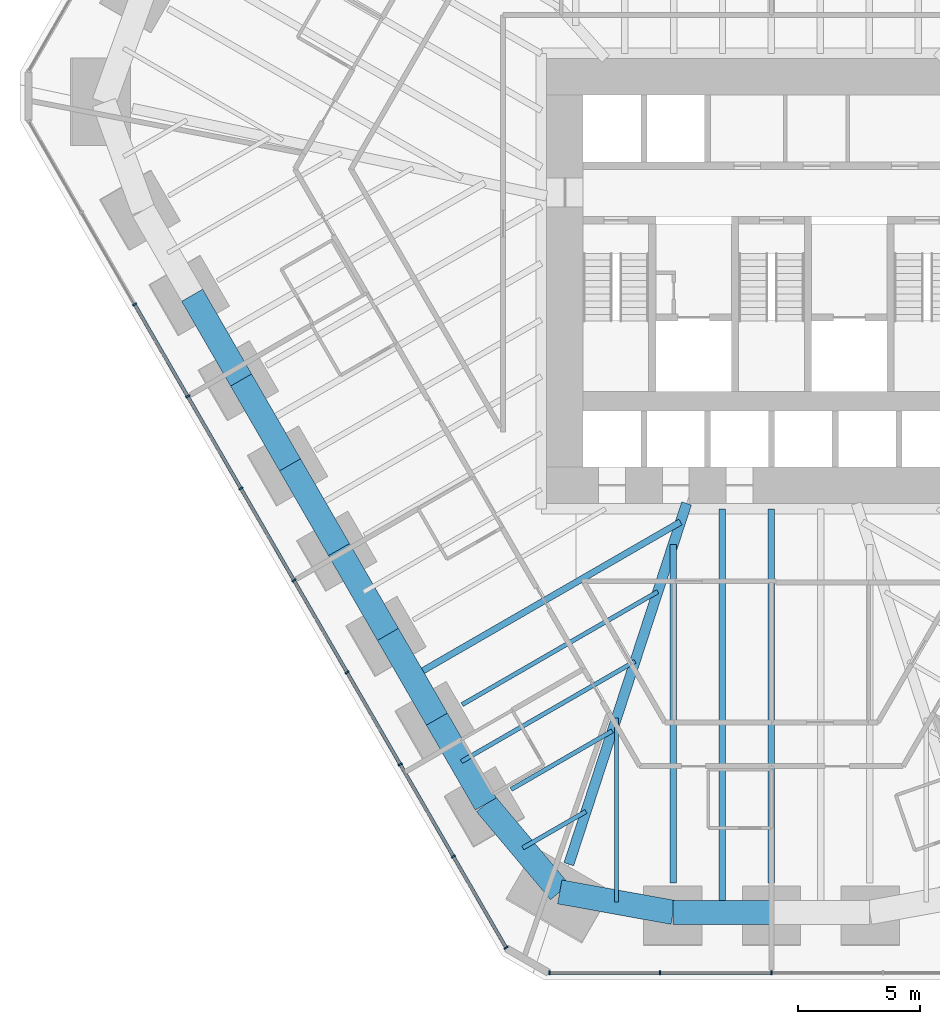
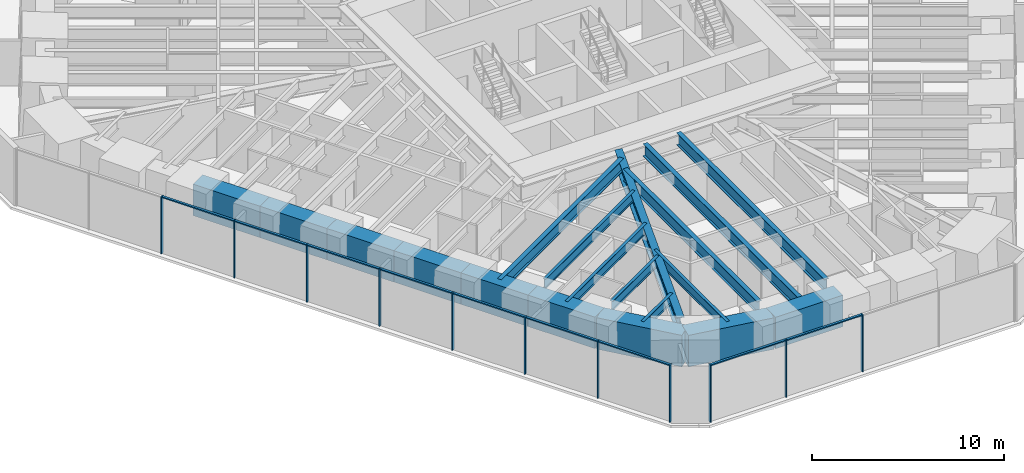
# One storey, part 2 of 17: 20 members, 19 beams, 2 elements without a shape of their own.
"""IFC4 building model written with IfcOpenShell, lengths in metres."""

from ifc_helpers import new_model, si_unit, direction, frame, origin, origin_2d, place, context, subcontext, project, spatial, rectangle, i_section, extrude, material, material_profile, profile_set, type_object, element, aggregate, save


model = new_model("IFC4")

# Units and contexts
model_context = context("Model", 3, precision=1e-05, world=origin(), true_north=direction((0.0, 1.0)))
body_context = subcontext(model_context, "Body", "Model", "MODEL_VIEW")
ifc_project = project(units=[si_unit("LENGTHUNIT", "METRE"), si_unit("AREAUNIT", "SQUARE_METRE"), si_unit("VOLUMEUNIT", "CUBIC_METRE"), si_unit("PLANEANGLEUNIT", "RADIAN"), si_unit("MASSUNIT", "GRAM", prefix="KILO")], contexts=[model_context])

# Site, building, storey
site_placement = place(None, origin())
site = spatial("IfcSite", under=ifc_project, at=site_placement, CompositionType="ELEMENT")
building_placement = place(site_placement, origin())
building = spatial("IfcBuilding", under=site, at=building_placement, Name="Sandreach Pilgrim Tower", CompositionType="ELEMENT")
storey_placement = place(building_placement, frame((0.0, 0.0, 80.0)))
storey = spatial("IfcBuildingStorey", under=building, at=storey_placement, Name="L19", CompositionType="ELEMENT", Elevation=80.0)

# Curtain wall, members
ifc_material_1 = material(Name="Aluminium framed curtain wall", Category="aluminium")
curtain_wall_type = type_object("IfcCurtainWallType", Name="Hostel tower curtain wall", PredefinedType="NOTDEFINED", material=ifc_material_1)
curtain_wall_1_placement = place(storey_placement, origin())
curtain_wall_1 = element("IfcCurtainWall", 1, at=curtain_wall_1_placement, inside=storey, type_object=curtain_wall_type, Name="CW-1 L19 S", PredefinedType="NOTDEFINED")
ifc_material_2 = material(Name="Aluminium extrusion", Category="aluminium")
ifc_material_profile_1 = material_profile(ifc_material_2, rectangle(XDim=0.06494140625, YDim=0.179931640625, at=origin_2d()), Name="CW-1M 65X180")
ifc_profile_set_1 = profile_set([ifc_material_profile_1], Name="Aluminium extrusion")
member_type_1 = type_object("IfcMemberType", Name="CW-1 mullion", PredefinedType="MULLION", material=ifc_profile_set_1)
member_1_placement = place(storey_placement, frame((0.0, -30.010986328125, 0.0), z_axis=(0.0, 0.0, 1.0), x_axis=(-1.0, 0.0, 0.0)))
member_1 = element("IfcMember", 2, at=member_1_placement, type_object=member_type_1, Name="CW-1 mullion 3", PredefinedType="MULLION", context=body_context, shape_type="SweptSolid", body=[
    extrude(rectangle(XDim=0.06494140625, YDim=0.179931640625, at=origin_2d()), origin(), (0.0, 0.0, 1.0), 3.639892578125),
])
member_2_placement = place(storey_placement, frame((-4.5859375, -30.010986328125, 0.0), z_axis=(0.0, 0.0, 1.0), x_axis=(-1.0, 0.0, 0.0)))
member_2 = element("IfcMember", 3, at=member_2_placement, type_object=member_type_1, Name="CW-1 mullion 4", PredefinedType="MULLION", context=body_context, shape_type="SweptSolid", body=[
    extrude(rectangle(XDim=0.06494140625, YDim=0.179931640625, at=origin_2d()), origin(), (0.0, 0.0, 1.0), 3.639892578125),
])
member_3_placement = place(storey_placement, frame((-9.1396484375, -30.010986328125, 0.0), z_axis=(0.0, 0.0, 1.0), x_axis=(-1.0, 0.0, 0.0)))
member_3 = element("IfcMember", 4, at=member_3_placement, type_object=member_type_1, Name="CW-1 mullion 5", PredefinedType="MULLION", context=body_context, shape_type="SweptSolid", body=[
    extrude(rectangle(XDim=0.06494140625, YDim=0.179931640625, at=origin_2d()), origin(), (0.0, 0.0, 1.0), 3.639892578125),
])

curtain_wall_2_placement = place(storey_placement, origin())
curtain_wall_2 = element("IfcCurtainWall", 5, at=curtain_wall_2_placement, inside=storey, type_object=curtain_wall_type, Name="CW-1 L19 SW", PredefinedType="NOTDEFINED")
member_4_placement = place(storey_placement, frame((-10.92041015625, -28.982666015625, 0.0), z_axis=(0.0, 0.0, 1.0), x_axis=(-0.5, 0.866025403784, 0.0)))
member_4 = element("IfcMember", 6, at=member_4_placement, type_object=member_type_1, Name="CW-1 mullion 1", PredefinedType="MULLION", context=body_context, shape_type="SweptSolid", body=[
    extrude(rectangle(XDim=0.06494140625, YDim=0.179931640625, at=origin_2d()), origin(), (0.0, 0.0, 1.0), 3.639892578125),
])
member_5_placement = place(storey_placement, frame((-13.08984375, -25.22509765625, 0.0), z_axis=(0.0, 0.0, 1.0), x_axis=(-0.5, 0.866025403784, 0.0)))
member_5 = element("IfcMember", 7, at=member_5_placement, type_object=member_type_1, Name="CW-1 mullion 2", PredefinedType="MULLION", context=body_context, shape_type="SweptSolid", body=[
    extrude(rectangle(XDim=0.06494140625, YDim=0.179931640625, at=origin_2d()), origin(), (0.0, 0.0, 1.0), 3.639892578125),
])
member_6_placement = place(storey_placement, frame((-15.275634765625, -21.439208984375, 0.0), z_axis=(0.0, 0.0, 1.0), x_axis=(-0.5, 0.866025403784, 0.0)))
member_6 = element("IfcMember", 8, at=member_6_placement, type_object=member_type_1, Name="CW-1 mullion 3", PredefinedType="MULLION", context=body_context, shape_type="SweptSolid", body=[
    extrude(rectangle(XDim=0.06494140625, YDim=0.179931640625, at=origin_2d()), origin(), (0.0, 0.0, 1.0), 3.639892578125),
])
member_7_placement = place(storey_placement, frame((-17.46142578125, -17.6533203125, 0.0), z_axis=(0.0, 0.0, 1.0), x_axis=(-0.5, 0.866025403784, 0.0)))
member_7 = element("IfcMember", 9, at=member_7_placement, type_object=member_type_1, Name="CW-1 mullion 4", PredefinedType="MULLION", context=body_context, shape_type="SweptSolid", body=[
    extrude(rectangle(XDim=0.06494140625, YDim=0.179931640625, at=origin_2d()), origin(), (0.0, 0.0, 1.0), 3.639892578125),
])
member_8_placement = place(storey_placement, frame((-19.647216796875, -13.8671875, 0.0), z_axis=(0.0, 0.0, 1.0), x_axis=(-0.5, 0.866025403784, 0.0)))
member_8 = element("IfcMember", 10, at=member_8_placement, type_object=member_type_1, Name="CW-1 mullion 5", PredefinedType="MULLION", context=body_context, shape_type="SweptSolid", body=[
    extrude(rectangle(XDim=0.06494140625, YDim=0.179931640625, at=origin_2d()), origin(), (0.0, 0.0, 1.0), 3.639892578125),
])
member_9_placement = place(storey_placement, frame((-21.8330078125, -10.081298828125, 0.0), z_axis=(0.0, 0.0, 1.0), x_axis=(-0.5, 0.866025403784, 0.0)))
member_9 = element("IfcMember", 11, at=member_9_placement, type_object=member_type_1, Name="CW-1 mullion 6", PredefinedType="MULLION", context=body_context, shape_type="SweptSolid", body=[
    extrude(rectangle(XDim=0.06494140625, YDim=0.179931640625, at=origin_2d()), origin(), (0.0, 0.0, 1.0), 3.639892578125),
])
member_10_placement = place(storey_placement, frame((-24.018798828125, -6.29541015625, 0.0), z_axis=(0.0, 0.0, 1.0), x_axis=(-0.5, 0.866025403784, 0.0)))
member_10 = element("IfcMember", 12, at=member_10_placement, type_object=member_type_1, Name="CW-1 mullion 7", PredefinedType="MULLION", context=body_context, shape_type="SweptSolid", body=[
    extrude(rectangle(XDim=0.06494140625, YDim=0.179931640625, at=origin_2d()), origin(), (0.0, 0.0, 1.0), 3.639892578125),
])
member_11_placement = place(storey_placement, frame((-26.20458984375, -2.509521484375, 0.0), z_axis=(0.0, 0.0, 1.0), x_axis=(-0.5, 0.866025403784, 0.0)))
member_11 = element("IfcMember", 13, at=member_11_placement, type_object=member_type_1, Name="CW-1 mullion 8", PredefinedType="MULLION", context=body_context, shape_type="SweptSolid", body=[
    extrude(rectangle(XDim=0.06494140625, YDim=0.179931640625, at=origin_2d()), origin(), (0.0, 0.0, 1.0), 3.639892578125),
])

# Member
ifc_material_3 = material(Name="Aluminium extrusion", Category="aluminium")
ifc_material_profile_2 = material_profile(ifc_material_3, rectangle(XDim=0.139892578125, YDim=0.070068359375, at=origin_2d()), Name="CW-1T 140X70")
ifc_profile_set_2 = profile_set([ifc_material_profile_2], Name="Aluminium extrusion")
member_type_2 = type_object("IfcMemberType", Name="CW-1 transom", PredefinedType="USERDEFINED", material=ifc_profile_set_2)
member_12_placement = place(storey_placement, frame((-0.032470703125, -30.010986328125, 3.60498046875), z_axis=(-1.0, 0.0, 0.0), x_axis=(0.0, -1.0, 0.0)))
member_12 = element("IfcMember", 14, at=member_12_placement, type_object=member_type_2, Name="CW-1 head transom 3", ObjectType="TRANSOM", PredefinedType="USERDEFINED", context=body_context, shape_type="SweptSolid", body=[
    extrude(rectangle(XDim=0.139892578125, YDim=0.070068359375, at=origin_2d()), origin(), (0.0, 0.0, 1.0), 4.52099609375),
])

member_13_placement = place(storey_placement, frame((-4.61865234375, -30.010986328125, 3.60498046875), z_axis=(-1.0, 0.0, 0.0), x_axis=(0.0, -1.0, 0.0)))
member_13 = element("IfcMember", 15, at=member_13_placement, type_object=member_type_2, Name="CW-1 head transom 4", ObjectType="TRANSOM", PredefinedType="USERDEFINED", context=body_context, shape_type="SweptSolid", body=[
    extrude(rectangle(XDim=0.139892578125, YDim=0.070068359375, at=origin_2d()), origin(), (0.0, 0.0, 1.0), 4.488525390625),
])

aggregate(curtain_wall_1, [member_1, member_2, member_3, member_12, member_13])

member_14_placement = place(storey_placement, frame((-10.9365234375, -28.95458984375, 3.60498046875), z_axis=(-0.500033953635, 0.866005799756, 0.0), x_axis=(-0.866005799756, -0.500033953635, 0.0)))
member_14 = element("IfcMember", 16, at=member_14_placement, type_object=member_type_2, Name="CW-1 head transom 1", ObjectType="TRANSOM", PredefinedType="USERDEFINED", context=body_context, shape_type="SweptSolid", body=[
    extrude(rectangle(XDim=0.139892578125, YDim=0.070068359375, at=origin_2d()), origin(), (0.0, 0.0, 1.0), 4.274169921875),
])

member_15_placement = place(storey_placement, frame((-13.106201171875, -25.19677734375, 3.60498046875), z_axis=(-0.500016891966, 0.866015650984, 0.0), x_axis=(-0.866015650984, -0.500016891966, 0.0)))
member_15 = element("IfcMember", 17, at=member_15_placement, type_object=member_type_2, Name="CW-1 head transom 2", ObjectType="TRANSOM", PredefinedType="USERDEFINED", context=body_context, shape_type="SweptSolid", body=[
    extrude(rectangle(XDim=0.139892578125, YDim=0.070068359375, at=origin_2d()), origin(), (0.0, 0.0, 1.0), 4.306396484375),
])

member_16_placement = place(storey_placement, frame((-15.2919921875, -21.410888671875, 3.60498046875), z_axis=(-0.500016891966, 0.866015650984, 0.0), x_axis=(-0.866015650984, -0.500016891966, 0.0)))
member_16 = element("IfcMember", 18, at=member_16_placement, type_object=member_type_2, Name="CW-1 head transom 3", ObjectType="TRANSOM", PredefinedType="USERDEFINED", context=body_context, shape_type="SweptSolid", body=[
    extrude(rectangle(XDim=0.139892578125, YDim=0.070068359375, at=origin_2d()), origin(), (0.0, 0.0, 1.0), 4.306396484375),
])

member_17_placement = place(storey_placement, frame((-17.477783203125, -17.625, 3.60498046875), z_axis=(-0.500016891966, 0.866015650984, 0.0), x_axis=(-0.866015650984, -0.500016891966, 0.0)))
member_17 = element("IfcMember", 19, at=member_17_placement, type_object=member_type_2, Name="CW-1 head transom 4", ObjectType="TRANSOM", PredefinedType="USERDEFINED", context=body_context, shape_type="SweptSolid", body=[
    extrude(rectangle(XDim=0.139892578125, YDim=0.070068359375, at=origin_2d()), origin(), (0.0, 0.0, 1.0), 4.306396484375),
])

member_18_placement = place(storey_placement, frame((-19.66357421875, -13.839111328125, 3.60498046875), z_axis=(-0.500016891966, 0.866015650984, 0.0), x_axis=(-0.866015650984, -0.500016891966, 0.0)))
member_18 = element("IfcMember", 20, at=member_18_placement, type_object=member_type_2, Name="CW-1 head transom 5", ObjectType="TRANSOM", PredefinedType="USERDEFINED", context=body_context, shape_type="SweptSolid", body=[
    extrude(rectangle(XDim=0.139892578125, YDim=0.070068359375, at=origin_2d()), origin(), (0.0, 0.0, 1.0), 4.306396484375),
])

member_19_placement = place(storey_placement, frame((-21.849365234375, -10.05322265625, 3.60498046875), z_axis=(-0.500016891966, 0.866015650984, 0.0), x_axis=(-0.866015650984, -0.500016891966, 0.0)))
member_19 = element("IfcMember", 21, at=member_19_placement, type_object=member_type_2, Name="CW-1 head transom 6", ObjectType="TRANSOM", PredefinedType="USERDEFINED", context=body_context, shape_type="SweptSolid", body=[
    extrude(rectangle(XDim=0.139892578125, YDim=0.070068359375, at=origin_2d()), origin(), (0.0, 0.0, 1.0), 4.306396484375),
])

member_20_placement = place(storey_placement, frame((-24.03515625, -6.267333984375, 3.60498046875), z_axis=(-0.500016891966, 0.866015650984, 0.0), x_axis=(-0.866015650984, -0.500016891966, 0.0)))
member_20 = element("IfcMember", 22, at=member_20_placement, type_object=member_type_2, Name="CW-1 head transom 7", ObjectType="TRANSOM", PredefinedType="USERDEFINED", context=body_context, shape_type="SweptSolid", body=[
    extrude(rectangle(XDim=0.139892578125, YDim=0.070068359375, at=origin_2d()), origin(), (0.0, 0.0, 1.0), 4.306396484375),
])

aggregate(curtain_wall_2, [member_4, member_5, member_6, member_7, member_8, member_9, member_10, member_11, member_14, member_15, member_16, member_17, member_18, member_19, member_20])

# Beams
ifc_material_4 = material(Name="Steel ASTM A992 Grade 50", Category="steel")
ifc_material_profile_3 = material_profile(ifc_material_4, i_section(OverallWidth=0.421630859375, OverallDepth=0.937255859375, WebThickness=0.0224609375, FlangeThickness=0.039794921875, at=origin_2d()), Name="W36X282")
ifc_profile_set_3 = profile_set([ifc_material_profile_3], Name="Steel ASTM A992 Grade 50")
beam_type_1 = type_object("IfcBeamType", Name="Corner girder W36X282", PredefinedType="BEAM", material=ifc_profile_set_3)
beam_1_placement = place(storey_placement, frame((-8.338623046875, -25.54541015625, 3.17138671875), z_axis=(0.310312114905, 0.950634730768, 0.0), x_axis=(-0.950634730768, 0.310312114905, 0.0)))
element("IfcBeam", 23, at=beam_1_placement, inside=storey, type_object=beam_type_1, Name="BM L19 CG26", PredefinedType="BEAM", context=body_context, shape_type="SweptSolid", body=[
    extrude(i_section(OverallWidth=0.421630859375, OverallDepth=0.937255859375, WebThickness=0.0224609375, FlangeThickness=0.039794921875, at=origin_2d()), origin(), (0.0, 0.0, 1.0), 15.616455078125),
])
ifc_material_5 = material(Name="Steel ASTM A992 Grade 50", Category="steel")
ifc_material_profile_4 = material_profile(ifc_material_5, i_section(OverallWidth=0.1787109375, OverallDepth=0.60205078125, WebThickness=0.010986328125, FlangeThickness=0.014892578125, at=origin_2d()), Name="W24X62")
ifc_profile_set_4 = profile_set([ifc_material_profile_4], Name="Steel ASTM A992 Grade 50")
beam_type_2 = type_object("IfcBeamType", Name="Floor beam W24X62", PredefinedType="BEAM", material=ifc_profile_set_4)
beam_2_placement = place(storey_placement, frame((-10.71337890625, -22.466796875, 3.339111328125), z_axis=(0.866013112364, 0.50002128876, 0.0), x_axis=(-0.50002128876, 0.866013112364, 0.0)))
element("IfcBeam", 24, at=beam_2_placement, inside=storey, type_object=beam_type_2, Name="BM L19 F27", PredefinedType="BEAM", context=body_context, shape_type="SweptSolid", body=[
    extrude(i_section(OverallWidth=0.1787109375, OverallDepth=0.60205078125, WebThickness=0.010986328125, FlangeThickness=0.014892578125, at=origin_2d()), origin(), (0.0, 0.0, 1.0), 4.808837890625),
])
beam_3_placement = place(storey_placement, frame((-12.727783203125, -18.977783203125, 3.339111328125), z_axis=(0.866036440312, 0.499980883686, 0.0), x_axis=(-0.499980883686, 0.866036440312, 0.0)))
element("IfcBeam", 25, at=beam_3_placement, inside=storey, type_object=beam_type_2, Name="BM L19 F28", PredefinedType="BEAM", context=body_context, shape_type="SweptSolid", body=[
    extrude(i_section(OverallWidth=0.1787109375, OverallDepth=0.60205078125, WebThickness=0.010986328125, FlangeThickness=0.014892578125, at=origin_2d()), origin(), (0.0, 0.0, 1.0), 9.295166015625),
])
beam_4_placement = place(storey_placement, frame((-6.376953125, -27.107666015625, 3.339111328125), z_axis=(0.0, 1.0, 0.0), x_axis=(-1.0, 0.0, 0.0)))
element("IfcBeam", 26, at=beam_4_placement, inside=storey, type_object=beam_type_2, Name="BM L19 FM25", PredefinedType="BEAM", context=body_context, shape_type="SweptSolid", body=[
    extrude(i_section(OverallWidth=0.1787109375, OverallDepth=0.60205078125, WebThickness=0.010986328125, FlangeThickness=0.014892578125, at=origin_2d()), origin(), (0.0, 0.0, 1.0), 7.572021484375),
])
beam_5_placement = place(storey_placement, frame((-10.23193359375, -24.87646484375, 3.339111328125), z_axis=(0.866039448368, 0.499975673279, 0.0), x_axis=(-0.499975673279, 0.866039448368, 0.0)))
element("IfcBeam", 27, at=beam_5_placement, inside=storey, type_object=beam_type_2, Name="BM L19 FM26", PredefinedType="BEAM", context=body_context, shape_type="SweptSolid", body=[
    extrude(i_section(OverallWidth=0.1787109375, OverallDepth=0.60205078125, WebThickness=0.010986328125, FlangeThickness=0.014892578125, at=origin_2d()), origin(), (0.0, 0.0, 1.0), 3.004638671875),
])
beam_6_placement = place(storey_placement, frame((-12.759765625, -21.322265625, 3.339111328125), z_axis=(0.866027928545, 0.499995626961, 0.0), x_axis=(-0.499995626961, 0.866027928545, 0.0)))
element("IfcBeam", 28, at=beam_6_placement, inside=storey, type_object=beam_type_2, Name="BM L19 FM27", PredefinedType="BEAM", context=body_context, shape_type="SweptSolid", body=[
    extrude(i_section(OverallWidth=0.1787109375, OverallDepth=0.60205078125, WebThickness=0.010986328125, FlangeThickness=0.014892578125, at=origin_2d()), origin(), (0.0, 0.0, 1.0), 8.251953125),
])
ifc_material_6 = material(Name="Steel ASTM A992 Grade 50", Category="steel")
ifc_material_profile_5 = material_profile(ifc_material_6, i_section(OverallWidth=0.2666015625, OverallDepth=0.761962890625, WebThickness=0.014404296875, FlangeThickness=0.021484375, at=origin_2d()), Name="W30X116")
ifc_profile_set_5 = profile_set([ifc_material_profile_5], Name="Steel ASTM A992 Grade 50")
beam_type_3 = type_object("IfcBeamType", Name="Floor beam W30X116", PredefinedType="BEAM", material=ifc_profile_set_5)
beam_7_placement = place(storey_placement, frame((-4.04296875, -26.329345703125, 3.259033203125), z_axis=(0.0, 1.0, 0.0), x_axis=(-1.0, 0.0, 0.0)))
element("IfcBeam", 29, at=beam_7_placement, inside=storey, type_object=beam_type_3, Name="BM L19 F25", PredefinedType="BEAM", context=body_context, shape_type="SweptSolid", body=[
    extrude(i_section(OverallWidth=0.2666015625, OverallDepth=0.761962890625, WebThickness=0.014404296875, FlangeThickness=0.021484375, at=origin_2d()), origin(), (0.0, 0.0, 1.0), 13.944091796875),
])
beam_8_placement = place(storey_placement, frame((-14.774169921875, -17.83349609375, 3.259033203125), z_axis=(0.866023134992, 0.500003929644, 0.0), x_axis=(-0.500003929644, 0.866023134992, 0.0)))
element("IfcBeam", 30, at=beam_8_placement, inside=storey, type_object=beam_type_3, Name="BM L19 FM28", PredefinedType="BEAM", context=body_context, shape_type="SweptSolid", body=[
    extrude(i_section(OverallWidth=0.2666015625, OverallDepth=0.761962890625, WebThickness=0.014404296875, FlangeThickness=0.021484375, at=origin_2d()), origin(), (0.0, 0.0, 1.0), 12.73876953125),
])
ifc_material_7 = material(Name="Steel ASTM A992 Grade 50", Category="steel")
ifc_material_profile_6 = material_profile(ifc_material_7, i_section(OverallWidth=0.2666015625, OverallDepth=0.77978515625, WebThickness=0.0166015625, FlangeThickness=0.030029296875, at=origin_2d()), Name="W30X148")
ifc_profile_set_6 = profile_set([ifc_material_profile_6], Name="Steel ASTM A992 Grade 50")
beam_type_4 = type_object("IfcBeamType", Name="Floor beam W30X148", PredefinedType="BEAM", material=ifc_profile_set_6)
beam_9_placement = place(storey_placement, frame((0.0, -26.329345703125, 3.25), z_axis=(0.0, 1.0, 0.0), x_axis=(-1.0, 0.0, 0.0)))
element("IfcBeam", 31, at=beam_9_placement, inside=storey, type_object=beam_type_4, Name="BM L19 F24", PredefinedType="BEAM", context=body_context, shape_type="SweptSolid", body=[
    extrude(i_section(OverallWidth=0.2666015625, OverallDepth=0.77978515625, WebThickness=0.0166015625, FlangeThickness=0.030029296875, at=origin_2d()), origin(), (0.0, 0.0, 1.0), 15.4072265625),
])
beam_10_placement = place(storey_placement, frame((-2.021484375, -27.529296875, 3.25), z_axis=(0.0, 1.0, 0.0), x_axis=(-1.0, 0.0, 0.0)))
element("IfcBeam", 32, at=beam_10_placement, inside=storey, type_object=beam_type_4, Name="BM L19 FM24", PredefinedType="BEAM", context=body_context, shape_type="SweptSolid", body=[
    extrude(i_section(OverallWidth=0.2666015625, OverallDepth=0.77978515625, WebThickness=0.0166015625, FlangeThickness=0.030029296875, at=origin_2d()), origin(), (0.0, 0.0, 1.0), 16.607177734375),
])
ifc_material_8 = material(Name="Concrete 10000 psi", Category="concrete")
ifc_material_profile_7 = material_profile(ifc_material_8, rectangle(XDim=1.0, YDim=2.0, at=origin_2d()), Name="RC1000X2000")
ifc_profile_set_7 = profile_set([ifc_material_profile_7], Name="Concrete 10000 psi")
beam_type_5 = type_object("IfcBeamType", Name="Spandrel beam RC1000X2000", PredefinedType="SPANDREL", material=ifc_profile_set_7)
beam_11_placement = place(storey_placement, frame((0.0, -27.529296875, 2.639892578125), z_axis=(-1.0, 0.0, 0.0), x_axis=(0.0, -1.0, 0.0)))
element("IfcBeam", 33, at=beam_11_placement, inside=storey, type_object=beam_type_5, Name="BM L19 SP24", PredefinedType="SPANDREL", context=body_context, shape_type="SweptSolid", body=[
    extrude(rectangle(XDim=1.0, YDim=2.0, at=origin_2d()), origin(), (0.0, 0.0, 1.0), 4.04296875),
])
beam_12_placement = place(storey_placement, frame((-4.04296875, -27.529296875, 2.639892578125), z_axis=(-0.984073484435, 0.177762136668, 0.0), x_axis=(-0.177762136668, -0.984073484435, 0.0)))
element("IfcBeam", 34, at=beam_12_placement, inside=storey, type_object=beam_type_5, Name="BM L19 SP25", PredefinedType="SPANDREL", context=body_context, shape_type="SweptSolid", body=[
    extrude(rectangle(XDim=1.0, YDim=2.0, at=origin_2d()), origin(), (0.0, 0.0, 1.0), 4.74365234375),
])
beam_13_placement = place(storey_placement, frame((-8.711181640625, -26.68603515625, 2.639892578125), z_axis=(-0.643343460434, 0.765577685096, 0.0), x_axis=(-0.765577685096, -0.643343460434, 0.0)))
element("IfcBeam", 35, at=beam_13_placement, inside=storey, type_object=beam_type_5, Name="BM L19 SP26", PredefinedType="SPANDREL", context=body_context, shape_type="SweptSolid", body=[
    extrude(rectangle(XDim=1.0, YDim=2.0, at=origin_2d()), origin(), (0.0, 0.0, 1.0), 4.7275390625),
])
beam_14_placement = place(storey_placement, frame((-11.752685546875, -23.066650390625, 2.639892578125), z_axis=(-0.499984757355, 0.866034203951, 0.0), x_axis=(-0.866034203951, -0.499984757355, 0.0)))
element("IfcBeam", 36, at=beam_14_placement, inside=storey, type_object=beam_type_5, Name="BM L19 SP27", PredefinedType="SPANDREL", context=body_context, shape_type="SweptSolid", body=[
    extrude(rectangle(XDim=1.0, YDim=2.0, at=origin_2d()), origin(), (0.0, 0.0, 1.0), 4.028564453125),
])
beam_15_placement = place(storey_placement, frame((-13.766845703125, -19.577880859375, 2.639892578125), z_axis=(-0.500003967864, 0.866023112925, 0.0), x_axis=(-0.866023112925, -0.500003967864, 0.0)))
element("IfcBeam", 37, at=beam_15_placement, inside=storey, type_object=beam_type_5, Name="BM L19 SP28", PredefinedType="SPANDREL", context=body_context, shape_type="SweptSolid", body=[
    extrude(rectangle(XDim=1.0, YDim=2.0, at=origin_2d()), origin(), (0.0, 0.0, 1.0), 4.02880859375),
])
for number, where, z_axis, x_axis, name in (
    (38, (-15.78125, -16.0888671875, 2.639892578125), (-0.499984757355, 0.866034203951, 0.0), (-0.866034203951, -0.499984757355, 0.0), "BM L19 SP29"),
    (39, (-17.79541015625, -12.60009765625, 2.639892578125), (-0.500030209372, 0.866007961693, 0.0), (-0.866007961693, -0.500030209372, 0.0), "BM L19 SP30"),
    (40, (-19.809814453125, -9.111328125, 2.639892578125), (-0.499958516642, 0.866049352888, 0.0), (-0.866049352888, -0.499958516642, 0.0), "BM L19 SP31"),
    (41, (-21.823974609375, -5.622314453125, 2.639892578125), (-0.500030209372, 0.866007961693, 0.0), (-0.866007961693, -0.500030209372, 0.0), "BM L19 SP32"),
):
    element("IfcBeam", number, at=place(storey_placement, frame(where, z_axis=z_axis, x_axis=x_axis)), inside=storey, type_object=beam_type_5, Name=name, PredefinedType="SPANDREL", context=body_context, shape_type="SweptSolid", body=[
        extrude(rectangle(XDim=1.0, YDim=2.0, at=origin_2d()), origin(), (0.0, 0.0, 1.0), 4.028564453125),
    ])

save(model, "model.ifc")
